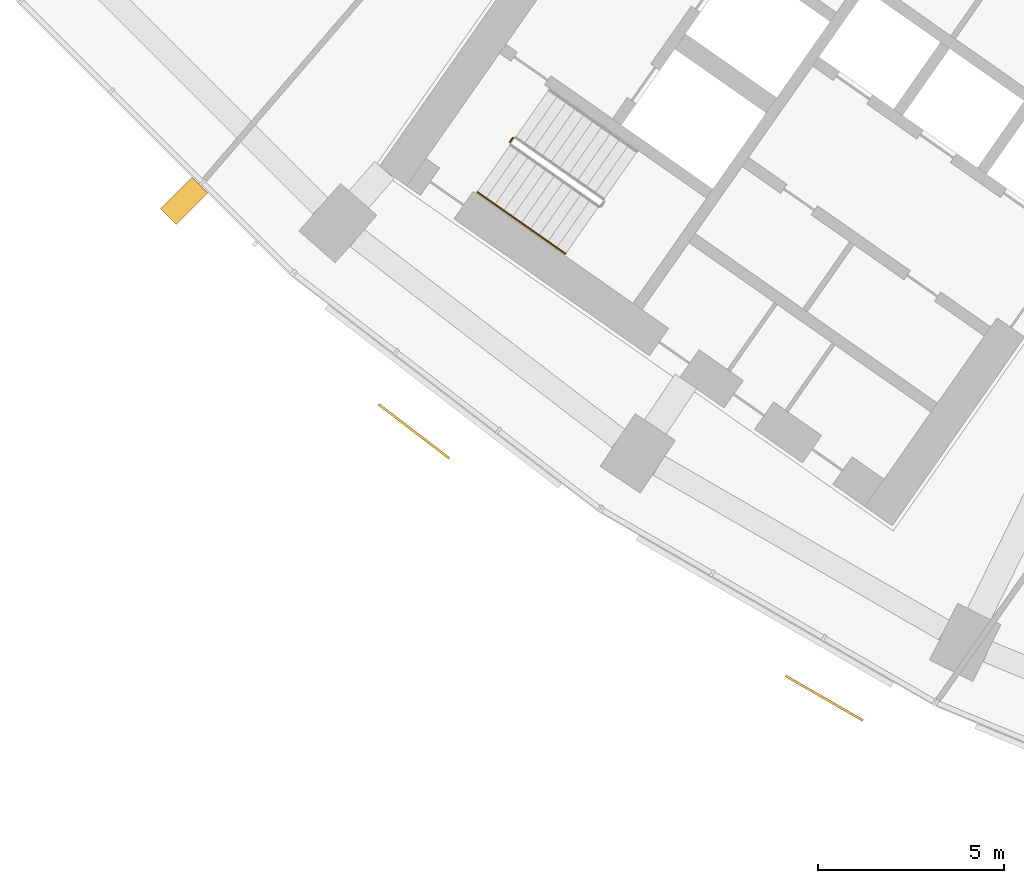
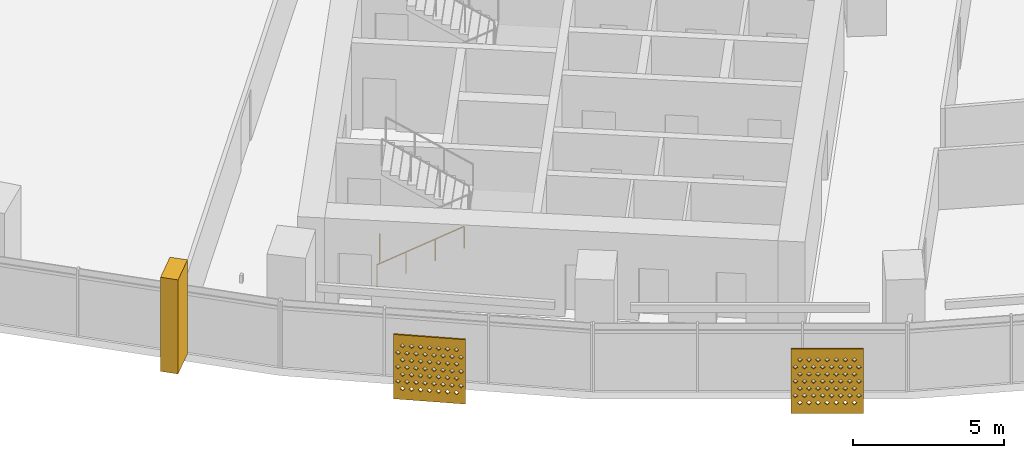
# One storey, part 25 of 31: 3 shading devices, 2 railings.
"""IFC4 building model written with IfcOpenShell, lengths in metres."""

from ifc_helpers import new_model, si_unit, direction, frame, origin, origin_2d, place, context, subcontext, project, spatial, polyline, circle, outline, extrude, material, material_profile, profile_set, type_object, element, save


model = new_model("IFC4")

# Units and contexts
model_context = context("Model", 3, precision=1e-05, world=origin(), true_north=direction((0.0, 1.0)))
body_context = subcontext(model_context, "Body", "Model", "MODEL_VIEW")
ifc_project = project(units=[si_unit("LENGTHUNIT", "METRE"), si_unit("AREAUNIT", "SQUARE_METRE"), si_unit("VOLUMEUNIT", "CUBIC_METRE"), si_unit("PLANEANGLEUNIT", "RADIAN"), si_unit("MASSUNIT", "GRAM", prefix="KILO")], contexts=[model_context])

# Site, building, storey
site_placement = place(None, origin())
site = spatial("IfcSite", under=ifc_project, at=site_placement, CompositionType="ELEMENT")
building_placement = place(site_placement, origin())
building = spatial("IfcBuilding", under=site, at=building_placement, Name="Qamariyya Broadcast Tower", CompositionType="ELEMENT")
storey_placement = place(building_placement, frame((0.0, 0.0, 74.699951171875)))
storey = spatial("IfcBuildingStorey", under=building, at=storey_placement, Name="L15", CompositionType="ELEMENT", Elevation=74.699951171875)

# Shading devices
ifc_material_1 = material(Name="Steel S355 powder coated deep red", Category="steel")
shading_device_type_1 = type_object("IfcShadingDeviceType", Name="Deep red frame, powder coated steel box section", PredefinedType="USERDEFINED", material=ifc_material_1)
shading_device_1_placement = place(storey_placement, origin())
element("IfcShadingDevice", 1, at=shading_device_1_placement, inside=storey, type_object=shading_device_type_1, Name="e-frm-B1-F1-postb-L15", ObjectType="FRAME", PredefinedType="USERDEFINED", context=body_context, shape_type="SweptSolid", body=[
    extrude(outline(polyline([(-55.184814453125, -57.21630859375), (-56.033203125, -58.064697265625), (-55.60888671875, -58.489013671875), (-54.760498046875, -57.640380859375), (-55.184814453125, -57.21630859375)])), origin(), (0.0, 0.0, 1.0), 3.800048828125),
])
ifc_material_2 = material(Name="Perforated glazed terracotta", Category="masonry")
ifc_material_profile = material_profile(ifc_material_2, outline(polyline([(-1.199951171875, -1.300048828125), (1.199951171875, -1.300048828125), (1.199951171875, 1.300048828125), (-1.199951171875, 1.300048828125), (-1.199951171875, -1.300048828125)]), holes=[polyline([(-0.81494140625, -0.86669921875), (-0.89990234375, -0.78173828125), (-0.985107421875, -0.86669921875), (-0.89990234375, -0.95166015625), (-0.81494140625, -0.86669921875)]), polyline([(-0.514892578125, -0.86669921875), (-0.60009765625, -0.78173828125), (-0.68505859375, -0.86669921875), (-0.60009765625, -0.95166015625), (-0.514892578125, -0.86669921875)]), polyline([(-0.215087890625, -0.86669921875), (-0.300048828125, -0.78173828125), (-0.385009765625, -0.86669921875), (-0.300048828125, -0.95166015625), (-0.215087890625, -0.86669921875)]), polyline([(0.0849609375, -0.86669921875), (0.0, -0.78173828125), (-0.0849609375, -0.86669921875), (0.0, -0.95166015625), (0.0849609375, -0.86669921875)]), polyline([(0.385009765625, -0.86669921875), (0.300048828125, -0.78173828125), (0.215087890625, -0.86669921875), (0.300048828125, -0.95166015625), (0.385009765625, -0.86669921875)]), polyline([(0.68505859375, -0.86669921875), (0.60009765625, -0.78173828125), (0.514892578125, -0.86669921875), (0.60009765625, -0.95166015625), (0.68505859375, -0.86669921875)]), polyline([(0.985107421875, -0.86669921875), (0.89990234375, -0.78173828125), (0.81494140625, -0.86669921875), (0.89990234375, -0.95166015625), (0.985107421875, -0.86669921875)]), polyline([(-0.965087890625, -0.577880859375), (-1.050048828125, -0.49267578125), (-1.135009765625, -0.577880859375), (-1.050048828125, -0.662841796875), (-0.965087890625, -0.577880859375)]), polyline([(-0.6650390625, -0.577880859375), (-0.75, -0.49267578125), (-0.8349609375, -0.577880859375), (-0.75, -0.662841796875), (-0.6650390625, -0.577880859375)]), polyline([(-0.364990234375, -0.577880859375), (-0.449951171875, -0.49267578125), (-0.534912109375, -0.577880859375), (-0.449951171875, -0.662841796875), (-0.364990234375, -0.577880859375)]), polyline([(-0.06494140625, -0.577880859375), (-0.14990234375, -0.49267578125), (-0.235107421875, -0.577880859375), (-0.14990234375, -0.662841796875), (-0.06494140625, -0.577880859375)]), polyline([(0.235107421875, -0.577880859375), (0.14990234375, -0.49267578125), (0.06494140625, -0.577880859375), (0.14990234375, -0.662841796875), (0.235107421875, -0.577880859375)]), polyline([(0.534912109375, -0.577880859375), (0.449951171875, -0.49267578125), (0.364990234375, -0.577880859375), (0.449951171875, -0.662841796875), (0.534912109375, -0.577880859375)]), polyline([(0.8349609375, -0.577880859375), (0.75, -0.49267578125), (0.6650390625, -0.577880859375), (0.75, -0.662841796875), (0.8349609375, -0.577880859375)]), polyline([(1.135009765625, -0.577880859375), (1.050048828125, -0.49267578125), (0.965087890625, -0.577880859375), (1.050048828125, -0.662841796875), (1.135009765625, -0.577880859375)]), polyline([(-0.81494140625, -0.288818359375), (-0.89990234375, -0.203857421875), (-0.985107421875, -0.288818359375), (-0.89990234375, -0.373779296875), (-0.81494140625, -0.288818359375)]), polyline([(-0.514892578125, -0.288818359375), (-0.60009765625, -0.203857421875), (-0.68505859375, -0.288818359375), (-0.60009765625, -0.373779296875), (-0.514892578125, -0.288818359375)]), polyline([(-0.215087890625, -0.288818359375), (-0.300048828125, -0.203857421875), (-0.385009765625, -0.288818359375), (-0.300048828125, -0.373779296875), (-0.215087890625, -0.288818359375)]), polyline([(0.0849609375, -0.288818359375), (0.0, -0.203857421875), (-0.0849609375, -0.288818359375), (0.0, -0.373779296875), (0.0849609375, -0.288818359375)]), polyline([(0.385009765625, -0.288818359375), (0.300048828125, -0.203857421875), (0.215087890625, -0.288818359375), (0.300048828125, -0.373779296875), (0.385009765625, -0.288818359375)]), polyline([(0.68505859375, -0.288818359375), (0.60009765625, -0.203857421875), (0.514892578125, -0.288818359375), (0.60009765625, -0.373779296875), (0.68505859375, -0.288818359375)]), polyline([(0.985107421875, -0.288818359375), (0.89990234375, -0.203857421875), (0.81494140625, -0.288818359375), (0.89990234375, -0.373779296875), (0.985107421875, -0.288818359375)]), polyline([(-0.965087890625, 0.0), (-1.050048828125, 0.0849609375), (-1.135009765625, 0.0), (-1.050048828125, -0.0849609375), (-0.965087890625, 0.0)]), polyline([(-0.6650390625, 0.0), (-0.75, 0.0849609375), (-0.8349609375, 0.0), (-0.75, -0.0849609375), (-0.6650390625, 0.0)]), polyline([(-0.364990234375, 0.0), (-0.449951171875, 0.0849609375), (-0.534912109375, 0.0), (-0.449951171875, -0.0849609375), (-0.364990234375, 0.0)]), polyline([(-0.06494140625, 0.0), (-0.14990234375, 0.0849609375), (-0.235107421875, 0.0), (-0.14990234375, -0.0849609375), (-0.06494140625, 0.0)]), polyline([(0.235107421875, 0.0), (0.14990234375, 0.0849609375), (0.06494140625, 0.0), (0.14990234375, -0.0849609375), (0.235107421875, 0.0)]), polyline([(0.534912109375, 0.0), (0.449951171875, 0.0849609375), (0.364990234375, 0.0), (0.449951171875, -0.0849609375), (0.534912109375, 0.0)]), polyline([(0.8349609375, 0.0), (0.75, 0.0849609375), (0.6650390625, 0.0), (0.75, -0.0849609375), (0.8349609375, 0.0)]), polyline([(1.135009765625, 0.0), (1.050048828125, 0.0849609375), (0.965087890625, 0.0), (1.050048828125, -0.0849609375), (1.135009765625, 0.0)]), polyline([(-0.81494140625, 0.288818359375), (-0.89990234375, 0.373779296875), (-0.985107421875, 0.288818359375), (-0.89990234375, 0.203857421875), (-0.81494140625, 0.288818359375)]), polyline([(-0.514892578125, 0.288818359375), (-0.60009765625, 0.373779296875), (-0.68505859375, 0.288818359375), (-0.60009765625, 0.203857421875), (-0.514892578125, 0.288818359375)]), polyline([(-0.215087890625, 0.288818359375), (-0.300048828125, 0.373779296875), (-0.385009765625, 0.288818359375), (-0.300048828125, 0.203857421875), (-0.215087890625, 0.288818359375)]), polyline([(0.0849609375, 0.288818359375), (0.0, 0.373779296875), (-0.0849609375, 0.288818359375), (0.0, 0.203857421875), (0.0849609375, 0.288818359375)]), polyline([(0.385009765625, 0.288818359375), (0.300048828125, 0.373779296875), (0.215087890625, 0.288818359375), (0.300048828125, 0.203857421875), (0.385009765625, 0.288818359375)]), polyline([(0.68505859375, 0.288818359375), (0.60009765625, 0.373779296875), (0.514892578125, 0.288818359375), (0.60009765625, 0.203857421875), (0.68505859375, 0.288818359375)]), polyline([(0.985107421875, 0.288818359375), (0.89990234375, 0.373779296875), (0.81494140625, 0.288818359375), (0.89990234375, 0.203857421875), (0.985107421875, 0.288818359375)]), polyline([(-0.965087890625, 0.577880859375), (-1.050048828125, 0.662841796875), (-1.135009765625, 0.577880859375), (-1.050048828125, 0.49267578125), (-0.965087890625, 0.577880859375)]), polyline([(-0.6650390625, 0.577880859375), (-0.75, 0.662841796875), (-0.8349609375, 0.577880859375), (-0.75, 0.49267578125), (-0.6650390625, 0.577880859375)]), polyline([(-0.364990234375, 0.577880859375), (-0.449951171875, 0.662841796875), (-0.534912109375, 0.577880859375), (-0.449951171875, 0.49267578125), (-0.364990234375, 0.577880859375)]), polyline([(-0.06494140625, 0.577880859375), (-0.14990234375, 0.662841796875), (-0.235107421875, 0.577880859375), (-0.14990234375, 0.49267578125), (-0.06494140625, 0.577880859375)]), polyline([(0.235107421875, 0.577880859375), (0.14990234375, 0.662841796875), (0.06494140625, 0.577880859375), (0.14990234375, 0.49267578125), (0.235107421875, 0.577880859375)]), polyline([(0.534912109375, 0.577880859375), (0.449951171875, 0.662841796875), (0.364990234375, 0.577880859375), (0.449951171875, 0.49267578125), (0.534912109375, 0.577880859375)]), polyline([(0.8349609375, 0.577880859375), (0.75, 0.662841796875), (0.6650390625, 0.577880859375), (0.75, 0.49267578125), (0.8349609375, 0.577880859375)]), polyline([(1.135009765625, 0.577880859375), (1.050048828125, 0.662841796875), (0.965087890625, 0.577880859375), (1.050048828125, 0.49267578125), (1.135009765625, 0.577880859375)]), polyline([(-0.81494140625, 0.86669921875), (-0.89990234375, 0.95166015625), (-0.985107421875, 0.86669921875), (-0.89990234375, 0.78173828125), (-0.81494140625, 0.86669921875)]), polyline([(-0.514892578125, 0.86669921875), (-0.60009765625, 0.95166015625), (-0.68505859375, 0.86669921875), (-0.60009765625, 0.78173828125), (-0.514892578125, 0.86669921875)]), polyline([(-0.215087890625, 0.86669921875), (-0.300048828125, 0.95166015625), (-0.385009765625, 0.86669921875), (-0.300048828125, 0.78173828125), (-0.215087890625, 0.86669921875)]), polyline([(0.0849609375, 0.86669921875), (0.0, 0.95166015625), (-0.0849609375, 0.86669921875), (0.0, 0.78173828125), (0.0849609375, 0.86669921875)]), polyline([(0.385009765625, 0.86669921875), (0.300048828125, 0.95166015625), (0.215087890625, 0.86669921875), (0.300048828125, 0.78173828125), (0.385009765625, 0.86669921875)]), polyline([(0.68505859375, 0.86669921875), (0.60009765625, 0.95166015625), (0.514892578125, 0.86669921875), (0.60009765625, 0.78173828125), (0.68505859375, 0.86669921875)]), polyline([(0.985107421875, 0.86669921875), (0.89990234375, 0.95166015625), (0.81494140625, 0.86669921875), (0.89990234375, 0.78173828125), (0.985107421875, 0.86669921875)])]))
ifc_profile_set = profile_set([ifc_material_profile], Name="Perforated glazed terracotta")
shading_device_type_2 = type_object("IfcShadingDeviceType", Name="Perforated terracotta screen 2400 x 2600", PredefinedType="USERDEFINED", material=ifc_profile_set)
shading_device_2_placement = place(storey_placement, frame((-49.19873046875, -64.031005859375, 1.35009765625), z_axis=(-0.607147566278, -0.794589096806, 0.0), x_axis=(0.794589096806, -0.607147566278, 0.0)))
element("IfcShadingDevice", 2, at=shading_device_2_placement, inside=storey, type_object=shading_device_type_2, Name="e-scr-L15-03-1", ObjectType="SCREEN", PredefinedType="USERDEFINED", context=body_context, shape_type="SweptSolid", body=[
    extrude(outline(polyline([(-1.199951171875, -1.300048828125), (1.199951171875, -1.300048828125), (1.199951171875, 1.300048828125), (-1.199951171875, 1.300048828125), (-1.199951171875, -1.300048828125)]), holes=[polyline([(-0.81494140625, -0.86669921875), (-0.89990234375, -0.78173828125), (-0.985107421875, -0.86669921875), (-0.89990234375, -0.95166015625), (-0.81494140625, -0.86669921875)]), polyline([(-0.514892578125, -0.86669921875), (-0.60009765625, -0.78173828125), (-0.68505859375, -0.86669921875), (-0.60009765625, -0.95166015625), (-0.514892578125, -0.86669921875)]), polyline([(-0.215087890625, -0.86669921875), (-0.300048828125, -0.78173828125), (-0.385009765625, -0.86669921875), (-0.300048828125, -0.95166015625), (-0.215087890625, -0.86669921875)]), polyline([(0.0849609375, -0.86669921875), (0.0, -0.78173828125), (-0.0849609375, -0.86669921875), (0.0, -0.95166015625), (0.0849609375, -0.86669921875)]), polyline([(0.385009765625, -0.86669921875), (0.300048828125, -0.78173828125), (0.215087890625, -0.86669921875), (0.300048828125, -0.95166015625), (0.385009765625, -0.86669921875)]), polyline([(0.68505859375, -0.86669921875), (0.60009765625, -0.78173828125), (0.514892578125, -0.86669921875), (0.60009765625, -0.95166015625), (0.68505859375, -0.86669921875)]), polyline([(0.985107421875, -0.86669921875), (0.89990234375, -0.78173828125), (0.81494140625, -0.86669921875), (0.89990234375, -0.95166015625), (0.985107421875, -0.86669921875)]), polyline([(-0.965087890625, -0.577880859375), (-1.050048828125, -0.49267578125), (-1.135009765625, -0.577880859375), (-1.050048828125, -0.662841796875), (-0.965087890625, -0.577880859375)]), polyline([(-0.6650390625, -0.577880859375), (-0.75, -0.49267578125), (-0.8349609375, -0.577880859375), (-0.75, -0.662841796875), (-0.6650390625, -0.577880859375)]), polyline([(-0.364990234375, -0.577880859375), (-0.449951171875, -0.49267578125), (-0.534912109375, -0.577880859375), (-0.449951171875, -0.662841796875), (-0.364990234375, -0.577880859375)]), polyline([(-0.06494140625, -0.577880859375), (-0.14990234375, -0.49267578125), (-0.235107421875, -0.577880859375), (-0.14990234375, -0.662841796875), (-0.06494140625, -0.577880859375)]), polyline([(0.235107421875, -0.577880859375), (0.14990234375, -0.49267578125), (0.06494140625, -0.577880859375), (0.14990234375, -0.662841796875), (0.235107421875, -0.577880859375)]), polyline([(0.534912109375, -0.577880859375), (0.449951171875, -0.49267578125), (0.364990234375, -0.577880859375), (0.449951171875, -0.662841796875), (0.534912109375, -0.577880859375)]), polyline([(0.8349609375, -0.577880859375), (0.75, -0.49267578125), (0.6650390625, -0.577880859375), (0.75, -0.662841796875), (0.8349609375, -0.577880859375)]), polyline([(1.135009765625, -0.577880859375), (1.050048828125, -0.49267578125), (0.965087890625, -0.577880859375), (1.050048828125, -0.662841796875), (1.135009765625, -0.577880859375)]), polyline([(-0.81494140625, -0.288818359375), (-0.89990234375, -0.203857421875), (-0.985107421875, -0.288818359375), (-0.89990234375, -0.373779296875), (-0.81494140625, -0.288818359375)]), polyline([(-0.514892578125, -0.288818359375), (-0.60009765625, -0.203857421875), (-0.68505859375, -0.288818359375), (-0.60009765625, -0.373779296875), (-0.514892578125, -0.288818359375)]), polyline([(-0.215087890625, -0.288818359375), (-0.300048828125, -0.203857421875), (-0.385009765625, -0.288818359375), (-0.300048828125, -0.373779296875), (-0.215087890625, -0.288818359375)]), polyline([(0.0849609375, -0.288818359375), (0.0, -0.203857421875), (-0.0849609375, -0.288818359375), (0.0, -0.373779296875), (0.0849609375, -0.288818359375)]), polyline([(0.385009765625, -0.288818359375), (0.300048828125, -0.203857421875), (0.215087890625, -0.288818359375), (0.300048828125, -0.373779296875), (0.385009765625, -0.288818359375)]), polyline([(0.68505859375, -0.288818359375), (0.60009765625, -0.203857421875), (0.514892578125, -0.288818359375), (0.60009765625, -0.373779296875), (0.68505859375, -0.288818359375)]), polyline([(0.985107421875, -0.288818359375), (0.89990234375, -0.203857421875), (0.81494140625, -0.288818359375), (0.89990234375, -0.373779296875), (0.985107421875, -0.288818359375)]), polyline([(-0.965087890625, 0.0), (-1.050048828125, 0.0849609375), (-1.135009765625, 0.0), (-1.050048828125, -0.0849609375), (-0.965087890625, 0.0)]), polyline([(-0.6650390625, 0.0), (-0.75, 0.0849609375), (-0.8349609375, 0.0), (-0.75, -0.0849609375), (-0.6650390625, 0.0)]), polyline([(-0.364990234375, 0.0), (-0.449951171875, 0.0849609375), (-0.534912109375, 0.0), (-0.449951171875, -0.0849609375), (-0.364990234375, 0.0)]), polyline([(-0.06494140625, 0.0), (-0.14990234375, 0.0849609375), (-0.235107421875, 0.0), (-0.14990234375, -0.0849609375), (-0.06494140625, 0.0)]), polyline([(0.235107421875, 0.0), (0.14990234375, 0.0849609375), (0.06494140625, 0.0), (0.14990234375, -0.0849609375), (0.235107421875, 0.0)]), polyline([(0.534912109375, 0.0), (0.449951171875, 0.0849609375), (0.364990234375, 0.0), (0.449951171875, -0.0849609375), (0.534912109375, 0.0)]), polyline([(0.8349609375, 0.0), (0.75, 0.0849609375), (0.6650390625, 0.0), (0.75, -0.0849609375), (0.8349609375, 0.0)]), polyline([(1.135009765625, 0.0), (1.050048828125, 0.0849609375), (0.965087890625, 0.0), (1.050048828125, -0.0849609375), (1.135009765625, 0.0)]), polyline([(-0.81494140625, 0.288818359375), (-0.89990234375, 0.373779296875), (-0.985107421875, 0.288818359375), (-0.89990234375, 0.203857421875), (-0.81494140625, 0.288818359375)]), polyline([(-0.514892578125, 0.288818359375), (-0.60009765625, 0.373779296875), (-0.68505859375, 0.288818359375), (-0.60009765625, 0.203857421875), (-0.514892578125, 0.288818359375)]), polyline([(-0.215087890625, 0.288818359375), (-0.300048828125, 0.373779296875), (-0.385009765625, 0.288818359375), (-0.300048828125, 0.203857421875), (-0.215087890625, 0.288818359375)]), polyline([(0.0849609375, 0.288818359375), (0.0, 0.373779296875), (-0.0849609375, 0.288818359375), (0.0, 0.203857421875), (0.0849609375, 0.288818359375)]), polyline([(0.385009765625, 0.288818359375), (0.300048828125, 0.373779296875), (0.215087890625, 0.288818359375), (0.300048828125, 0.203857421875), (0.385009765625, 0.288818359375)]), polyline([(0.68505859375, 0.288818359375), (0.60009765625, 0.373779296875), (0.514892578125, 0.288818359375), (0.60009765625, 0.203857421875), (0.68505859375, 0.288818359375)]), polyline([(0.985107421875, 0.288818359375), (0.89990234375, 0.373779296875), (0.81494140625, 0.288818359375), (0.89990234375, 0.203857421875), (0.985107421875, 0.288818359375)]), polyline([(-0.965087890625, 0.577880859375), (-1.050048828125, 0.662841796875), (-1.135009765625, 0.577880859375), (-1.050048828125, 0.49267578125), (-0.965087890625, 0.577880859375)]), polyline([(-0.6650390625, 0.577880859375), (-0.75, 0.662841796875), (-0.8349609375, 0.577880859375), (-0.75, 0.49267578125), (-0.6650390625, 0.577880859375)]), polyline([(-0.364990234375, 0.577880859375), (-0.449951171875, 0.662841796875), (-0.534912109375, 0.577880859375), (-0.449951171875, 0.49267578125), (-0.364990234375, 0.577880859375)]), polyline([(-0.06494140625, 0.577880859375), (-0.14990234375, 0.662841796875), (-0.235107421875, 0.577880859375), (-0.14990234375, 0.49267578125), (-0.06494140625, 0.577880859375)]), polyline([(0.235107421875, 0.577880859375), (0.14990234375, 0.662841796875), (0.06494140625, 0.577880859375), (0.14990234375, 0.49267578125), (0.235107421875, 0.577880859375)]), polyline([(0.534912109375, 0.577880859375), (0.449951171875, 0.662841796875), (0.364990234375, 0.577880859375), (0.449951171875, 0.49267578125), (0.534912109375, 0.577880859375)]), polyline([(0.8349609375, 0.577880859375), (0.75, 0.662841796875), (0.6650390625, 0.577880859375), (0.75, 0.49267578125), (0.8349609375, 0.577880859375)]), polyline([(1.135009765625, 0.577880859375), (1.050048828125, 0.662841796875), (0.965087890625, 0.577880859375), (1.050048828125, 0.49267578125), (1.135009765625, 0.577880859375)]), polyline([(-0.81494140625, 0.86669921875), (-0.89990234375, 0.95166015625), (-0.985107421875, 0.86669921875), (-0.89990234375, 0.78173828125), (-0.81494140625, 0.86669921875)]), polyline([(-0.514892578125, 0.86669921875), (-0.60009765625, 0.95166015625), (-0.68505859375, 0.86669921875), (-0.60009765625, 0.78173828125), (-0.514892578125, 0.86669921875)]), polyline([(-0.215087890625, 0.86669921875), (-0.300048828125, 0.95166015625), (-0.385009765625, 0.86669921875), (-0.300048828125, 0.78173828125), (-0.215087890625, 0.86669921875)]), polyline([(0.0849609375, 0.86669921875), (0.0, 0.95166015625), (-0.0849609375, 0.86669921875), (0.0, 0.78173828125), (0.0849609375, 0.86669921875)]), polyline([(0.385009765625, 0.86669921875), (0.300048828125, 0.95166015625), (0.215087890625, 0.86669921875), (0.300048828125, 0.78173828125), (0.385009765625, 0.86669921875)]), polyline([(0.68505859375, 0.86669921875), (0.60009765625, 0.95166015625), (0.514892578125, 0.86669921875), (0.60009765625, 0.78173828125), (0.68505859375, 0.86669921875)]), polyline([(0.985107421875, 0.86669921875), (0.89990234375, 0.95166015625), (0.81494140625, 0.86669921875), (0.89990234375, 0.78173828125), (0.985107421875, 0.86669921875)])]), origin(), (0.0, 0.0, 1.0), 0.059814453125),
])
shading_device_3_placement = place(storey_placement, frame((-38.164306640625, -71.207275390625, 1.35009765625), z_axis=(-0.500074377092, -0.865982457891, 0.0), x_axis=(0.865982457891, -0.500074377092, 0.0)))
element("IfcShadingDevice", 3, at=shading_device_3_placement, inside=storey, type_object=shading_device_type_2, Name="e-scr-L15-04-2", ObjectType="SCREEN", PredefinedType="USERDEFINED", context=body_context, shape_type="SweptSolid", body=[
    extrude(outline(polyline([(-1.199951171875, -1.300048828125), (1.199951171875, -1.300048828125), (1.199951171875, 1.300048828125), (-1.199951171875, 1.300048828125), (-1.199951171875, -1.300048828125)]), holes=[polyline([(-0.81494140625, -0.86669921875), (-0.89990234375, -0.78173828125), (-0.985107421875, -0.86669921875), (-0.89990234375, -0.95166015625), (-0.81494140625, -0.86669921875)]), polyline([(-0.514892578125, -0.86669921875), (-0.60009765625, -0.78173828125), (-0.68505859375, -0.86669921875), (-0.60009765625, -0.95166015625), (-0.514892578125, -0.86669921875)]), polyline([(-0.215087890625, -0.86669921875), (-0.300048828125, -0.78173828125), (-0.385009765625, -0.86669921875), (-0.300048828125, -0.95166015625), (-0.215087890625, -0.86669921875)]), polyline([(0.0849609375, -0.86669921875), (0.0, -0.78173828125), (-0.0849609375, -0.86669921875), (0.0, -0.95166015625), (0.0849609375, -0.86669921875)]), polyline([(0.385009765625, -0.86669921875), (0.300048828125, -0.78173828125), (0.215087890625, -0.86669921875), (0.300048828125, -0.95166015625), (0.385009765625, -0.86669921875)]), polyline([(0.68505859375, -0.86669921875), (0.60009765625, -0.78173828125), (0.514892578125, -0.86669921875), (0.60009765625, -0.95166015625), (0.68505859375, -0.86669921875)]), polyline([(0.985107421875, -0.86669921875), (0.89990234375, -0.78173828125), (0.81494140625, -0.86669921875), (0.89990234375, -0.95166015625), (0.985107421875, -0.86669921875)]), polyline([(-0.965087890625, -0.577880859375), (-1.050048828125, -0.49267578125), (-1.135009765625, -0.577880859375), (-1.050048828125, -0.662841796875), (-0.965087890625, -0.577880859375)]), polyline([(-0.6650390625, -0.577880859375), (-0.75, -0.49267578125), (-0.8349609375, -0.577880859375), (-0.75, -0.662841796875), (-0.6650390625, -0.577880859375)]), polyline([(-0.364990234375, -0.577880859375), (-0.449951171875, -0.49267578125), (-0.534912109375, -0.577880859375), (-0.449951171875, -0.662841796875), (-0.364990234375, -0.577880859375)]), polyline([(-0.06494140625, -0.577880859375), (-0.14990234375, -0.49267578125), (-0.235107421875, -0.577880859375), (-0.14990234375, -0.662841796875), (-0.06494140625, -0.577880859375)]), polyline([(0.235107421875, -0.577880859375), (0.14990234375, -0.49267578125), (0.06494140625, -0.577880859375), (0.14990234375, -0.662841796875), (0.235107421875, -0.577880859375)]), polyline([(0.534912109375, -0.577880859375), (0.449951171875, -0.49267578125), (0.364990234375, -0.577880859375), (0.449951171875, -0.662841796875), (0.534912109375, -0.577880859375)]), polyline([(0.8349609375, -0.577880859375), (0.75, -0.49267578125), (0.6650390625, -0.577880859375), (0.75, -0.662841796875), (0.8349609375, -0.577880859375)]), polyline([(1.135009765625, -0.577880859375), (1.050048828125, -0.49267578125), (0.965087890625, -0.577880859375), (1.050048828125, -0.662841796875), (1.135009765625, -0.577880859375)]), polyline([(-0.81494140625, -0.288818359375), (-0.89990234375, -0.203857421875), (-0.985107421875, -0.288818359375), (-0.89990234375, -0.373779296875), (-0.81494140625, -0.288818359375)]), polyline([(-0.514892578125, -0.288818359375), (-0.60009765625, -0.203857421875), (-0.68505859375, -0.288818359375), (-0.60009765625, -0.373779296875), (-0.514892578125, -0.288818359375)]), polyline([(-0.215087890625, -0.288818359375), (-0.300048828125, -0.203857421875), (-0.385009765625, -0.288818359375), (-0.300048828125, -0.373779296875), (-0.215087890625, -0.288818359375)]), polyline([(0.0849609375, -0.288818359375), (0.0, -0.203857421875), (-0.0849609375, -0.288818359375), (0.0, -0.373779296875), (0.0849609375, -0.288818359375)]), polyline([(0.385009765625, -0.288818359375), (0.300048828125, -0.203857421875), (0.215087890625, -0.288818359375), (0.300048828125, -0.373779296875), (0.385009765625, -0.288818359375)]), polyline([(0.68505859375, -0.288818359375), (0.60009765625, -0.203857421875), (0.514892578125, -0.288818359375), (0.60009765625, -0.373779296875), (0.68505859375, -0.288818359375)]), polyline([(0.985107421875, -0.288818359375), (0.89990234375, -0.203857421875), (0.81494140625, -0.288818359375), (0.89990234375, -0.373779296875), (0.985107421875, -0.288818359375)]), polyline([(-0.965087890625, 0.0), (-1.050048828125, 0.0849609375), (-1.135009765625, 0.0), (-1.050048828125, -0.0849609375), (-0.965087890625, 0.0)]), polyline([(-0.6650390625, 0.0), (-0.75, 0.0849609375), (-0.8349609375, 0.0), (-0.75, -0.0849609375), (-0.6650390625, 0.0)]), polyline([(-0.364990234375, 0.0), (-0.449951171875, 0.0849609375), (-0.534912109375, 0.0), (-0.449951171875, -0.0849609375), (-0.364990234375, 0.0)]), polyline([(-0.06494140625, 0.0), (-0.14990234375, 0.0849609375), (-0.235107421875, 0.0), (-0.14990234375, -0.0849609375), (-0.06494140625, 0.0)]), polyline([(0.235107421875, 0.0), (0.14990234375, 0.0849609375), (0.06494140625, 0.0), (0.14990234375, -0.0849609375), (0.235107421875, 0.0)]), polyline([(0.534912109375, 0.0), (0.449951171875, 0.0849609375), (0.364990234375, 0.0), (0.449951171875, -0.0849609375), (0.534912109375, 0.0)]), polyline([(0.8349609375, 0.0), (0.75, 0.0849609375), (0.6650390625, 0.0), (0.75, -0.0849609375), (0.8349609375, 0.0)]), polyline([(1.135009765625, 0.0), (1.050048828125, 0.0849609375), (0.965087890625, 0.0), (1.050048828125, -0.0849609375), (1.135009765625, 0.0)]), polyline([(-0.81494140625, 0.288818359375), (-0.89990234375, 0.373779296875), (-0.985107421875, 0.288818359375), (-0.89990234375, 0.203857421875), (-0.81494140625, 0.288818359375)]), polyline([(-0.514892578125, 0.288818359375), (-0.60009765625, 0.373779296875), (-0.68505859375, 0.288818359375), (-0.60009765625, 0.203857421875), (-0.514892578125, 0.288818359375)]), polyline([(-0.215087890625, 0.288818359375), (-0.300048828125, 0.373779296875), (-0.385009765625, 0.288818359375), (-0.300048828125, 0.203857421875), (-0.215087890625, 0.288818359375)]), polyline([(0.0849609375, 0.288818359375), (0.0, 0.373779296875), (-0.0849609375, 0.288818359375), (0.0, 0.203857421875), (0.0849609375, 0.288818359375)]), polyline([(0.385009765625, 0.288818359375), (0.300048828125, 0.373779296875), (0.215087890625, 0.288818359375), (0.300048828125, 0.203857421875), (0.385009765625, 0.288818359375)]), polyline([(0.68505859375, 0.288818359375), (0.60009765625, 0.373779296875), (0.514892578125, 0.288818359375), (0.60009765625, 0.203857421875), (0.68505859375, 0.288818359375)]), polyline([(0.985107421875, 0.288818359375), (0.89990234375, 0.373779296875), (0.81494140625, 0.288818359375), (0.89990234375, 0.203857421875), (0.985107421875, 0.288818359375)]), polyline([(-0.965087890625, 0.577880859375), (-1.050048828125, 0.662841796875), (-1.135009765625, 0.577880859375), (-1.050048828125, 0.49267578125), (-0.965087890625, 0.577880859375)]), polyline([(-0.6650390625, 0.577880859375), (-0.75, 0.662841796875), (-0.8349609375, 0.577880859375), (-0.75, 0.49267578125), (-0.6650390625, 0.577880859375)]), polyline([(-0.364990234375, 0.577880859375), (-0.449951171875, 0.662841796875), (-0.534912109375, 0.577880859375), (-0.449951171875, 0.49267578125), (-0.364990234375, 0.577880859375)]), polyline([(-0.06494140625, 0.577880859375), (-0.14990234375, 0.662841796875), (-0.235107421875, 0.577880859375), (-0.14990234375, 0.49267578125), (-0.06494140625, 0.577880859375)]), polyline([(0.235107421875, 0.577880859375), (0.14990234375, 0.662841796875), (0.06494140625, 0.577880859375), (0.14990234375, 0.49267578125), (0.235107421875, 0.577880859375)]), polyline([(0.534912109375, 0.577880859375), (0.449951171875, 0.662841796875), (0.364990234375, 0.577880859375), (0.449951171875, 0.49267578125), (0.534912109375, 0.577880859375)]), polyline([(0.8349609375, 0.577880859375), (0.75, 0.662841796875), (0.6650390625, 0.577880859375), (0.75, 0.49267578125), (0.8349609375, 0.577880859375)]), polyline([(1.135009765625, 0.577880859375), (1.050048828125, 0.662841796875), (0.965087890625, 0.577880859375), (1.050048828125, 0.49267578125), (1.135009765625, 0.577880859375)]), polyline([(-0.81494140625, 0.86669921875), (-0.89990234375, 0.95166015625), (-0.985107421875, 0.86669921875), (-0.89990234375, 0.78173828125), (-0.81494140625, 0.86669921875)]), polyline([(-0.514892578125, 0.86669921875), (-0.60009765625, 0.95166015625), (-0.68505859375, 0.86669921875), (-0.60009765625, 0.78173828125), (-0.514892578125, 0.86669921875)]), polyline([(-0.215087890625, 0.86669921875), (-0.300048828125, 0.95166015625), (-0.385009765625, 0.86669921875), (-0.300048828125, 0.78173828125), (-0.215087890625, 0.86669921875)]), polyline([(0.0849609375, 0.86669921875), (0.0, 0.95166015625), (-0.0849609375, 0.86669921875), (0.0, 0.78173828125), (0.0849609375, 0.86669921875)]), polyline([(0.385009765625, 0.86669921875), (0.300048828125, 0.95166015625), (0.215087890625, 0.86669921875), (0.300048828125, 0.78173828125), (0.385009765625, 0.86669921875)]), polyline([(0.68505859375, 0.86669921875), (0.60009765625, 0.95166015625), (0.514892578125, 0.86669921875), (0.60009765625, 0.78173828125), (0.68505859375, 0.86669921875)]), polyline([(0.985107421875, 0.86669921875), (0.89990234375, 0.95166015625), (0.81494140625, 0.86669921875), (0.89990234375, 0.78173828125), (0.985107421875, 0.86669921875)])]), origin(), (0.0, 0.0, 1.0), 0.06005859375),
])

# Railings
ifc_material_3 = material(Name="Painted steel", Category="steel")
railing_type_1 = type_object("IfcRailingType", Name="Stair guard", PredefinedType="GUARDRAIL", material=ifc_material_3)
railing_1_placement = place(storey_placement, frame((-46.63671875, -56.278076171875, 0.0)))
element("IfcRailing", 4, at=railing_1_placement, inside=storey, type_object=railing_type_1, Name="L15 ST-W1 stair guard 3", PredefinedType="GUARDRAIL", context=body_context, shape_type="SweptSolid", body=[
    extrude(circle(Radius=0.02392578125, at=origin_2d()), frame((0.0, 0.0, 1.076171875), z_axis=(0.574444878118, 0.818543268254, 0.0), x_axis=(-0.818543268254, 0.574444878118, 0.0)), (0.0, 0.0, 1.0), 0.150146484375),
    extrude(circle(Radius=0.02099609375, at=origin_2d()), origin(), (0.0, 0.0, 1.0), 1.052001953125),
    extrude(circle(Radius=0.02099609375, at=origin_2d()), frame((0.086181640625, 0.122802734375, 0.0)), (0.0, 0.0, 1.0), 1.052001953125),
])
ifc_material_4 = material(Name="Stainless steel", Category="steel")
railing_type_2 = type_object("IfcRailingType", Name="Stair handrail", PredefinedType="HANDRAIL", material=ifc_material_4)
railing_2_placement = place(storey_placement, frame((-47.513427734375, -57.617431640625, 0.1728515625)))
element("IfcRailing", 5, at=railing_2_placement, inside=storey, type_object=railing_type_2, Name="L15 ST-W1 stair handrail 1", PredefinedType="HANDRAIL", context=body_context, shape_type="SweptSolid", body=[
    extrude(circle(Radius=0.02392578125, at=origin_2d()), frame((0.0, 0.0, 0.8759765625), z_axis=(0.703770094002, -0.492783725636, 0.511734163933), x_axis=(0.573575343427, 0.819152809562, 0.0)), (0.0, 0.0, 1.0), 3.37548828125),
    extrude(circle(Radius=0.02099609375, at=origin_2d()), origin(), (0.0, 0.0, 1.0), 0.851806640625),
    extrude(circle(Radius=0.02099609375, at=origin_2d()), frame((0.791748046875, -0.554443359375, 0.57568359375)), (0.0, 0.0, 1.0), 0.851806640625),
    extrude(circle(Radius=0.02099609375, at=origin_2d()), frame((1.583740234375, -1.10888671875, 1.151611328125)), (0.0, 0.0, 1.0), 0.851806640625),
    extrude(circle(Radius=0.02099609375, at=origin_2d()), frame((2.37548828125, -1.663330078125, 1.727294921875)), (0.0, 0.0, 1.0), 0.851806640625),
])

save(model, "model.ifc")
